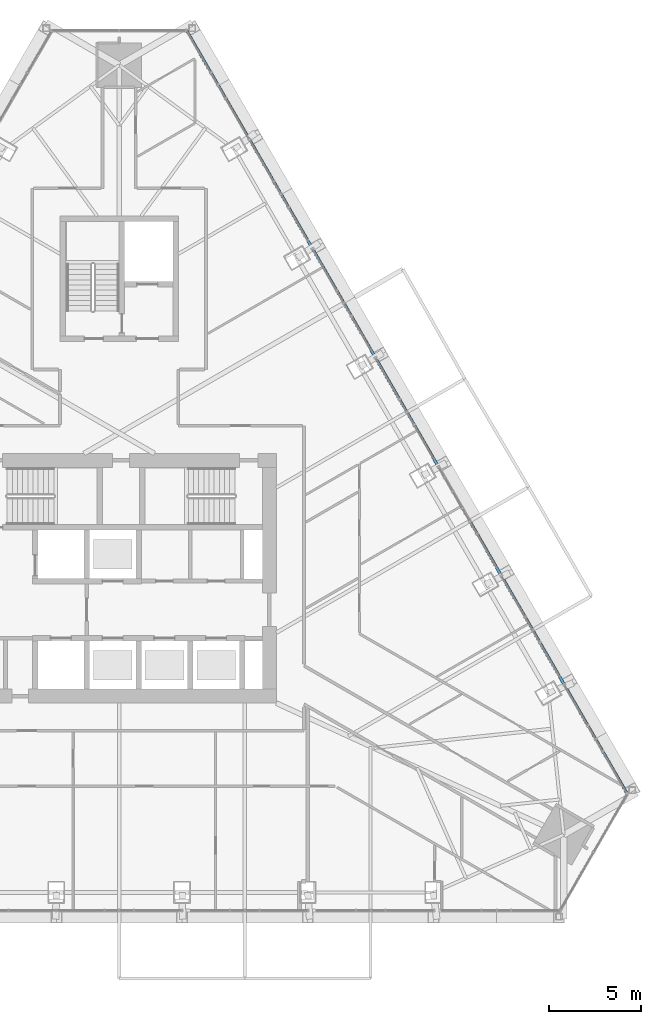
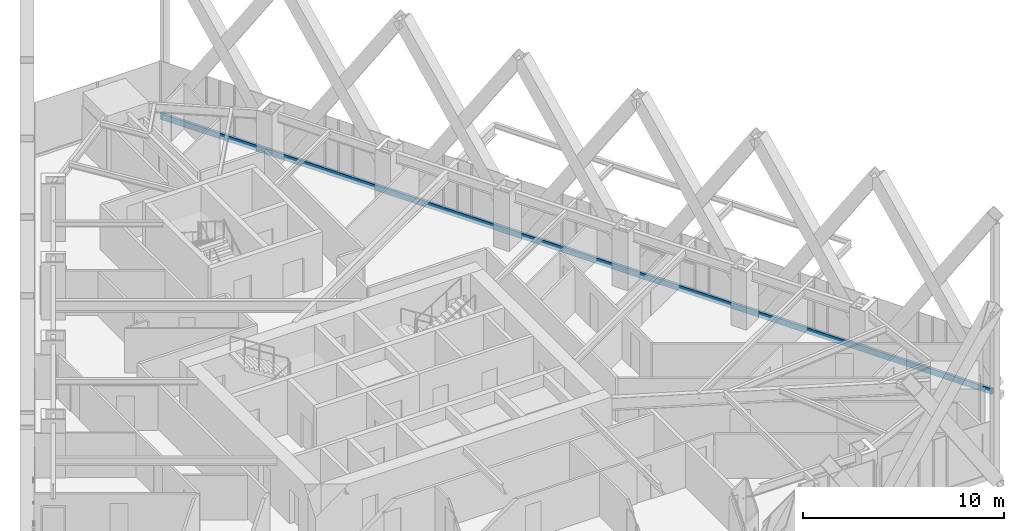
# One storey, part 9 of 24: 1 member, 1 element without a shape of its own.
"""IFC4 building model written with IfcOpenShell, lengths in metres."""

from ifc_helpers import new_model, si_unit, direction, frame, origin, origin_2d, place, context, subcontext, project, spatial, rectangle, extrude, material, layer, layer_set, material_profile, profile_set, type_object, element, aggregate, save


model = new_model("IFC4")

# Units and contexts
model_context = context("Model", 3, precision=1e-05, world=origin(), true_north=direction((0.0, 1.0)))
body_context = subcontext(model_context, "Body", "Model", "MODEL_VIEW")
ifc_project = project(units=[si_unit("LENGTHUNIT", "METRE"), si_unit("AREAUNIT", "SQUARE_METRE"), si_unit("VOLUMEUNIT", "CUBIC_METRE"), si_unit("PLANEANGLEUNIT", "RADIAN"), si_unit("MASSUNIT", "GRAM", prefix="KILO")], contexts=[model_context])

# Site, building, storey
site_placement = place(None, origin())
site = spatial("IfcSite", under=ifc_project, at=site_placement, CompositionType="ELEMENT")
building_placement = place(site_placement, origin())
building = spatial("IfcBuilding", under=site, at=building_placement, Name="Firuza Gate Tower and Library", CompositionType="ELEMENT")
storey_placement = place(building_placement, frame((0.0, 0.0, 260.10009765625)))
storey = spatial("IfcBuildingStorey", under=building, at=storey_placement, Name="L61", CompositionType="ELEMENT", Elevation=260.10009765625)

# Curtain wall, member
ifc_material_1 = material(Name="Aluminium 6063-T6", Category="aluminium")
ifc_layer = layer(ifc_material_1, 0.14990234375)
ifc_layer_set = layer_set([ifc_layer], Name="Unitised curtain wall, residences")
curtain_wall_type = type_object("IfcCurtainWallType", Name="Unitised curtain wall, residences", PredefinedType="NOTDEFINED", material=ifc_layer_set)
curtain_wall_placement = place(storey_placement, origin())
curtain_wall = element("IfcCurtainWall", 1, at=curtain_wall_placement, inside=storey, type_object=curtain_wall_type, Name="CW3 L61 E face", PredefinedType="NOTDEFINED")
ifc_material_2 = material(Name="Aluminium 6063-T6", Category="aluminium")
ifc_material_profile = material_profile(ifc_material_2, rectangle(XDim=0.14990234375, YDim=0.35009765625, at=origin_2d()))
ifc_profile_set = profile_set([ifc_material_profile], Name="Aluminium 6063-T6")
member_type = type_object("IfcMemberType", Name="Curtain wall transom 350x150", PredefinedType="USERDEFINED", material=ifc_profile_set)
member_placement = place(storey_placement, frame((102.486572265625, 63.337646484375, -0.025146484375), z_axis=(-0.500001210358, 0.866024704983, 0.0), x_axis=(-0.866024704983, -0.500001210358, 0.0)))
member = element("IfcMember", 2, at=member_placement, type_object=member_type, Name="Transom", ObjectType="TRANSOM", PredefinedType="USERDEFINED", context=body_context, shape_type="SweptSolid", body=[
    extrude(rectangle(XDim=0.14990234375, YDim=0.35009765625, at=origin_2d()), origin(), (0.0, 0.0, 1.0), 47.6865234375),
])
aggregate(curtain_wall, [member])

save(model, "model.ifc")
